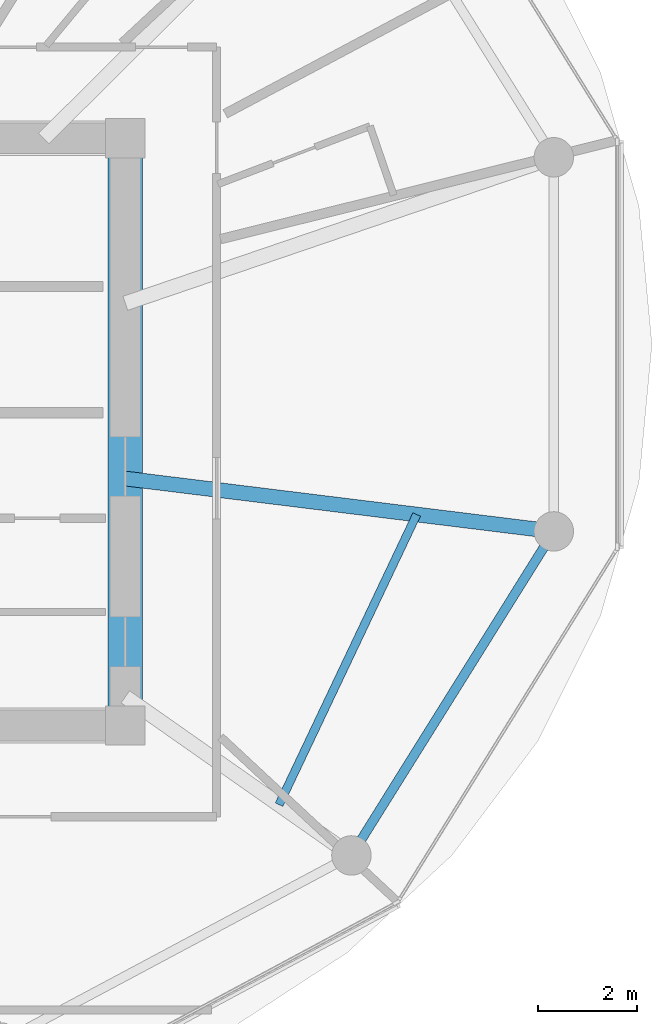
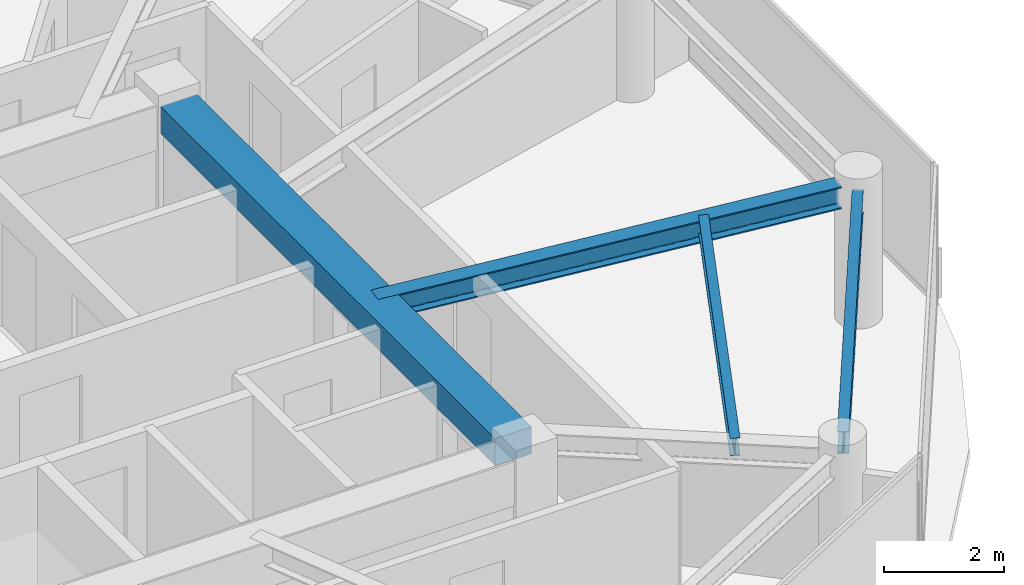
# One storey, part 3 of 22: 4 beams.
"""IFC4 building model written with IfcOpenShell, lengths in metres."""

from ifc_helpers import new_model, si_unit, direction, frame, origin, origin_2d, place, context, subcontext, project, spatial, rectangle, i_section, extrude, source, transform, mapped, material, material_profile, profile_set, type_object, type_shapes, element, save


model = new_model("IFC4")

# Units and contexts
model_context = context("Model", 3, precision=1e-05, world=origin(), true_north=direction((0.0, 1.0)))
body_context = subcontext(model_context, "Body", "Model", "MODEL_VIEW")
ifc_project = project(units=[si_unit("LENGTHUNIT", "METRE"), si_unit("AREAUNIT", "SQUARE_METRE"), si_unit("VOLUMEUNIT", "CUBIC_METRE"), si_unit("PLANEANGLEUNIT", "RADIAN"), si_unit("MASSUNIT", "GRAM", prefix="KILO")], contexts=[model_context])

# Site, building, storey
site_placement = place(None, origin())
site = spatial("IfcSite", under=ifc_project, at=site_placement, CompositionType="ELEMENT")
building_placement = place(site_placement, origin())
building = spatial("IfcBuilding", under=site, at=building_placement, Name="Norrkilde Senior Care Towers", CompositionType="ELEMENT")
storey_placement = place(building_placement, frame((0.0, 0.0, 152.60009765625)))
storey = spatial("IfcBuildingStorey", under=building, at=storey_placement, Name="L47", CompositionType="ELEMENT", Elevation=152.60009765625)

# Beams
ifc_material_1 = material(Name="Concrete C60/75", Category="concrete")
ifc_material_profile_1 = material_profile(ifc_material_1, rectangle(XDim=0.699951171875, YDim=0.550048828125, at=origin_2d()), Name="RC BM 700x550")
ifc_profile_set_1 = profile_set([ifc_material_profile_1], Name="Concrete C60/75")
beam_type_1 = type_object("IfcBeamType", Name="Core Portal Coupling Beam 700x550", PredefinedType="USERDEFINED", material=ifc_profile_set_1)
shared_shape_1 = source(origin(), body_context, "Body", "SweptSolid", [
    extrude(rectangle(XDim=0.699951171875, YDim=0.550048828125, at=origin_2d()), origin(), (0.0, 0.0, 1.0), 11.14013671875),
])
type_shapes(beam_type_1, [shared_shape_1])
beam_1_placement = place(storey_placement, frame((-20.35009765625, -5.570068359375, 2.534912109375), z_axis=(0.0, 1.0, 0.0), x_axis=(-1.0, 0.0, 0.0)))
element("IfcBeam", 1, at=beam_1_placement, inside=storey, type_object=beam_type_1, Name="L47 Core W E Coupling Girder", ObjectType="GIRDER", PredefinedType="USERDEFINED", context=body_context, shape_type="MappedRepresentation", body=[
    mapped(shared_shape_1, transform((0.0, 0.0, 0.0), x_axis=(1.0, 0.0, 0.0), y_axis=(0.0, 1.0, 0.0), z_axis=(0.0, 0.0, 1.0), scale=1.0)),
])
ifc_material_2 = material(Name="Steel S355", Category="steel")
ifc_material_profile_2 = material_profile(ifc_material_2, i_section(OverallWidth=0.18994140625, OverallDepth=0.449951171875, WebThickness=0.009521484375, FlangeThickness=0.0146484375, FilletRadius=0.02099609375, at=origin_2d()), Name="IPE 450")
ifc_profile_set_2 = profile_set([ifc_material_profile_2], Name="Steel S355")
beam_type_2 = type_object("IfcBeamType", Name="Perimeter Ring Spandrel Z3 IPE450", PredefinedType="SPANDREL", material=ifc_profile_set_2)
shared_shape_2 = source(origin(), body_context, "Body", "SweptSolid", [
    extrude(i_section(OverallWidth=0.18994140625, OverallDepth=0.449951171875, WebThickness=0.009521484375, FlangeThickness=0.0146484375, FilletRadius=0.02099609375, at=origin_2d()), origin(), (0.0, 0.0, 1.0), 7.023193359375),
])
type_shapes(beam_type_2, [shared_shape_2])
beam_2_placement = place(storey_placement, frame((-15.57666015625, -8.2783203125, 2.5849609375), z_axis=(0.529805197269, 0.848119362441, 0.0), x_axis=(-0.848119362441, 0.529805197269, 0.0)))
element("IfcBeam", 2, at=beam_2_placement, inside=storey, type_object=beam_type_2, Name="L47 Drum W Perimeter Spandrel 11", PredefinedType="SPANDREL", context=body_context, shape_type="MappedRepresentation", body=[
    mapped(shared_shape_2, transform((0.0, 0.0, 0.0), x_axis=(1.0, 0.0, 0.0), y_axis=(0.0, 1.0, 0.0), z_axis=(0.0, 0.0, 1.0), scale=1.0)),
])
ifc_material_profile_3 = material_profile(ifc_material_2, i_section(OverallWidth=0.300048828125, OverallDepth=0.449951171875, WebThickness=0.013916015625, FlangeThickness=0.02587890625, FilletRadius=0.027099609375, at=origin_2d()), Name="HEB 450")
ifc_profile_set_3 = profile_set([ifc_material_profile_3], Name="Steel S355")
beam_type_3 = type_object("IfcBeamType", Name="Radial Floor Beam Z3 HEB450", PredefinedType="BEAM", material=ifc_profile_set_3)
shared_shape_3 = source(origin(), body_context, "Body", "SweptSolid", [
    extrude(i_section(OverallWidth=0.300048828125, OverallDepth=0.449951171875, WebThickness=0.013916015625, FlangeThickness=0.02587890625, FilletRadius=0.027099609375, at=origin_2d()), origin(), (0.0, 0.0, 1.0), 8.390869140625),
])
type_shapes(beam_type_3, [shared_shape_3])
beam_3_placement = place(storey_placement, frame((-20.35009765625, -0.9443359375, 2.5849609375), z_axis=(0.99246916403, -0.122494728249, 0.0), x_axis=(0.122494728249, 0.99246916403, 0.0)))
element("IfcBeam", 3, at=beam_3_placement, inside=storey, type_object=beam_type_3, Name="L47 Drum W Radial Floor Beam 12", PredefinedType="BEAM", context=body_context, shape_type="MappedRepresentation", body=[
    mapped(shared_shape_3, transform((0.0, 0.0, 0.0), x_axis=(1.0, 0.0, 0.0), y_axis=(0.0, 1.0, 0.0), z_axis=(0.0, 0.0, 1.0), scale=1.0)),
])
ifc_material_profile_4 = material_profile(ifc_material_2, i_section(OverallWidth=0.169921875, OverallDepth=0.360107421875, WebThickness=0.008056640625, FlangeThickness=0.0126953125, FilletRadius=0.01806640625, at=origin_2d()), Name="IPE 360")
ifc_profile_set_4 = profile_set([ifc_material_profile_4], Name="Steel S355")
beam_type_4 = type_object("IfcBeamType", Name="Secondary Floor Joist IPE360", PredefinedType="JOIST", material=ifc_profile_set_4)
shared_shape_4 = source(origin(), body_context, "Body", "SweptSolid", [
    extrude(i_section(OverallWidth=0.169921875, OverallDepth=0.360107421875, WebThickness=0.008056640625, FlangeThickness=0.0126953125, FilletRadius=0.01806640625, at=origin_2d()), origin(), (0.0, 0.0, 1.0), 6.50927734375),
])
type_shapes(beam_type_4, [shared_shape_4])
beam_4_placement = place(storey_placement, frame((-17.23388671875, -7.5546875, 2.6298828125), z_axis=(0.428544169129, 0.90352083269, 0.0), x_axis=(-0.90352083269, 0.428544169129, 0.0)))
element("IfcBeam", 4, at=beam_4_placement, inside=storey, type_object=beam_type_4, Name="L47 Drum W Secondary Floor Joist 4", PredefinedType="JOIST", context=body_context, shape_type="MappedRepresentation", body=[
    mapped(shared_shape_4, transform((0.0, 0.0, 0.0), x_axis=(1.0, 0.0, 0.0), y_axis=(0.0, 1.0, 0.0), z_axis=(0.0, 0.0, 1.0), scale=1.0)),
])

save(model, "model.ifc")
